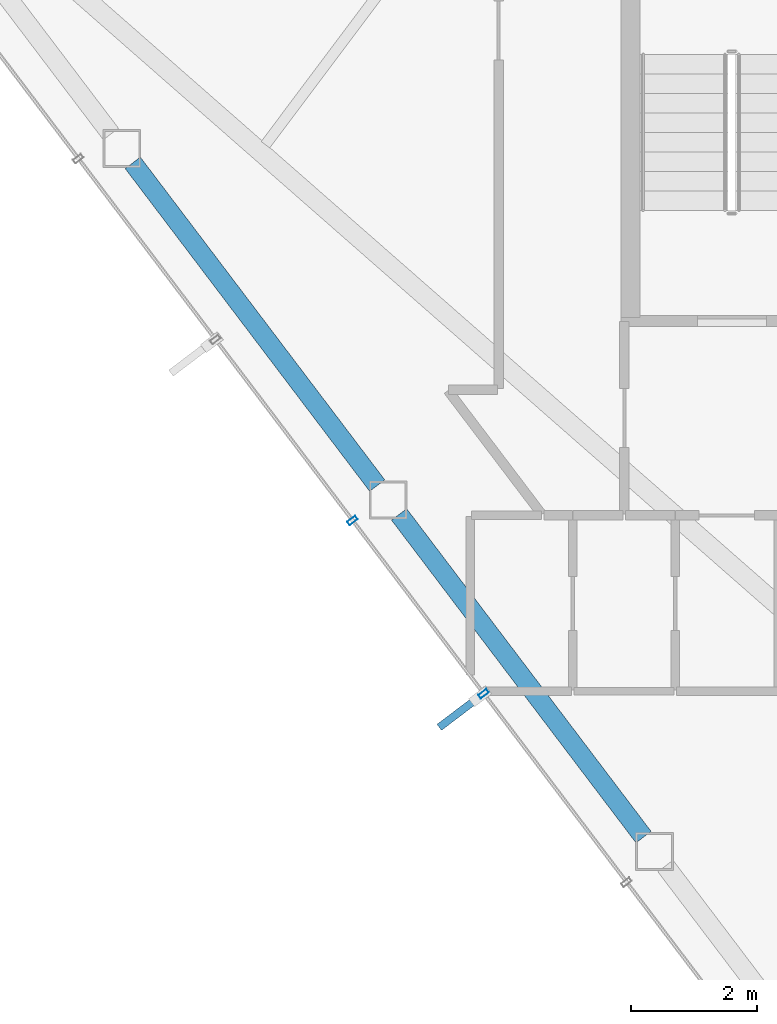
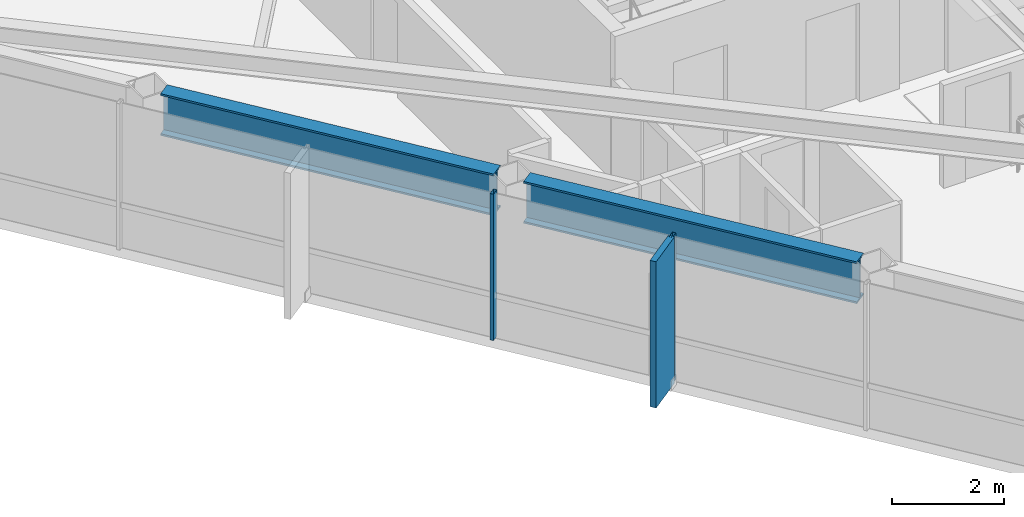
# One storey, part 3 of 25: 3 members, 2 beams, 1 element without a shape of its own.
"""IFC4 building model written with IfcOpenShell, lengths in metres."""

from ifc_helpers import new_model, si_unit, direction, frame, origin, origin_2d, place, context, subcontext, project, spatial, rectangle, hollow_rectangle, i_section, extrude, material, layer, layer_set, material_profile, profile_set, type_object, element, aggregate, save


model = new_model("IFC4")

# Units and contexts
model_context = context("Model", 3, precision=1e-05, world=origin(), true_north=direction((0.0, 1.0)))
body_context = subcontext(model_context, "Body", "Model", "MODEL_VIEW")
ifc_project = project(units=[si_unit("LENGTHUNIT", "METRE"), si_unit("AREAUNIT", "SQUARE_METRE"), si_unit("VOLUMEUNIT", "CUBIC_METRE"), si_unit("PLANEANGLEUNIT", "RADIAN"), si_unit("MASSUNIT", "GRAM", prefix="KILO")], contexts=[model_context])

# Site, building, storey
site_placement = place(None, origin())
site = spatial("IfcSite", under=ifc_project, at=site_placement, CompositionType="ELEMENT")
building_placement = place(site_placement, origin())
building = spatial("IfcBuilding", under=site, at=building_placement, Name="Zarrinselat Tower", CompositionType="ELEMENT")
storey_placement = place(building_placement, frame((0.0, 0.0, 239.360107421875)))
storey = spatial("IfcBuildingStorey", under=building, at=storey_placement, Name="L60", CompositionType="ELEMENT", Elevation=239.360107421875)

# Beams
ifc_material_1 = material(Name="Steel S460M", Category="steel")
ifc_material_profile_1 = material_profile(ifc_material_1, i_section(OverallWidth=0.302001953125, OverallDepth=0.909912109375, WebThickness=0.02099609375, FlangeThickness=0.0400390625, at=origin_2d()), Name="HEM 900")
ifc_profile_set_1 = profile_set([ifc_material_profile_1], Name="Steel S460M")
beam_type = type_object("IfcBeamType", Name="BM-HEM900", PredefinedType="BEAM", material=ifc_profile_set_1)
beam_1_placement = place(storey_placement, frame((20.732421875, 35.75537109375, 2.724853515625), z_axis=(0.603870099969, -0.797082744992, 0.0), x_axis=(0.797082744992, 0.603870099969, 0.0)))
element("IfcBeam", 1, at=beam_1_placement, inside=storey, type_object=beam_type, Name="L60 Perimeter Spandrel Girder SP07", PredefinedType="BEAM", context=body_context, shape_type="SweptSolid", body=[
    extrude(i_section(OverallWidth=0.302001953125, OverallDepth=0.909912109375, WebThickness=0.02099609375, FlangeThickness=0.0400390625, at=origin_2d()), origin(), (0.0, 0.0, 1.0), 6.43798828125),
])
beam_2_placement = place(storey_placement, frame((24.968017578125, 30.16455078125, 2.724853515625), z_axis=(0.603864259408, -0.797087169769, 0.0), x_axis=(0.797087169769, 0.603864259408, 0.0)))
element("IfcBeam", 2, at=beam_2_placement, inside=storey, type_object=beam_type, Name="L60 Perimeter Spandrel Girder SP08", PredefinedType="BEAM", context=body_context, shape_type="SweptSolid", body=[
    extrude(i_section(OverallWidth=0.302001953125, OverallDepth=0.909912109375, WebThickness=0.02099609375, FlangeThickness=0.0400390625, at=origin_2d()), origin(), (0.0, 0.0, 1.0), 6.437744140625),
])

# Curtain wall, members
ifc_material_2 = material(Name="Extruded Aluminium Alloy EN AW-6063 T6", Category="aluminium")
ifc_layer = layer(ifc_material_2, 0.169921875)
ifc_layer_set = layer_set([ifc_layer], Name="Extruded Aluminium Alloy EN AW-6063 T6")
curtain_wall_type = type_object("IfcCurtainWallType", Name="CWS-RES", PredefinedType="NOTDEFINED", material=ifc_layer_set)
curtain_wall_placement = place(storey_placement, origin())
curtain_wall = element("IfcCurtainWall", 3, at=curtain_wall_placement, inside=storey, type_object=curtain_wall_type, Name="L60 Unitised Curtain Wall CW-L60-E03", PredefinedType="NOTDEFINED")
ifc_material_3 = material(Name="Extruded Aluminium Alloy EN AW-6063 T6", Category="aluminium")
ifc_material_profile_2 = material_profile(ifc_material_3, hollow_rectangle(XDim=0.070068359375, YDim=0.159912109375, WallThickness=0.00390625, at=origin_2d()), Name="RHS 160x70x4")
ifc_profile_set_2 = profile_set([ifc_material_profile_2], Name="Extruded Aluminium Alloy EN AW-6063 T6")
member_type_1 = type_object("IfcMemberType", Name="MEM-CW-MUL2", PredefinedType="MULLION", material=ifc_profile_set_2)
member_1_placement = place(storey_placement, frame((24.224853515625, 30.069091796875, 0.0), z_axis=(0.0, 0.0, 1.0), x_axis=(0.603857888062, -0.797091996588, 0.0)))
member_1 = element("IfcMember", 4, at=member_1_placement, type_object=member_type_1, Name="CW-L60-E03 Mullion 4", PredefinedType="MULLION", context=body_context, shape_type="SweptSolid", body=[
    extrude(hollow_rectangle(XDim=0.070068359375, YDim=0.159912109375, WallThickness=0.00390625, at=origin_2d()), origin(), (0.0, 0.0, 1.0), 3.179931640625),
])
member_2_placement = place(storey_placement, frame((26.312255859375, 27.313720703125, 0.0), z_axis=(0.0, 0.0, 1.0), x_axis=(0.603857888062, -0.797091996588, 0.0)))
member_2 = element("IfcMember", 5, at=member_2_placement, type_object=member_type_1, Name="CW-L60-E03 Mullion 5", PredefinedType="MULLION", context=body_context, shape_type="SweptSolid", body=[
    extrude(hollow_rectangle(XDim=0.070068359375, YDim=0.159912109375, WallThickness=0.00390625, at=origin_2d()), origin(), (0.0, 0.0, 1.0), 3.179931640625),
])
ifc_material_4 = material(Name="Honed Cream Travertine Stone", Category="masonry")
ifc_material_profile_3 = material_profile(ifc_material_4, rectangle(XDim=0.1201171875, YDim=0.85009765625, at=origin_2d()), Name="FIN 850x120")
ifc_profile_set_3 = profile_set([ifc_material_profile_3], Name="Honed Cream Travertine Stone")
member_type_2 = type_object("IfcMemberType", Name="MEM-STONE-FIN", PredefinedType="USERDEFINED", material=ifc_profile_set_3)
member_3_placement = place(storey_placement, frame((25.945556640625, 27.035888671875, 0.0), z_axis=(0.0, 0.0, 1.0), x_axis=(-0.603857888062, 0.797091996588, 0.0)))
member_3 = element("IfcMember", 6, at=member_3_placement, type_object=member_type_2, Name="L60 Stone Shading Fin CW-L60-E03-05", ObjectType="FIN", PredefinedType="USERDEFINED", context=body_context, shape_type="SweptSolid", body=[
    extrude(rectangle(XDim=0.1201171875, YDim=0.85009765625, at=origin_2d()), origin(), (0.0, 0.0, 1.0), 3.179931640625),
])
aggregate(curtain_wall, [member_1, member_2, member_3])

save(model, "model.ifc")
